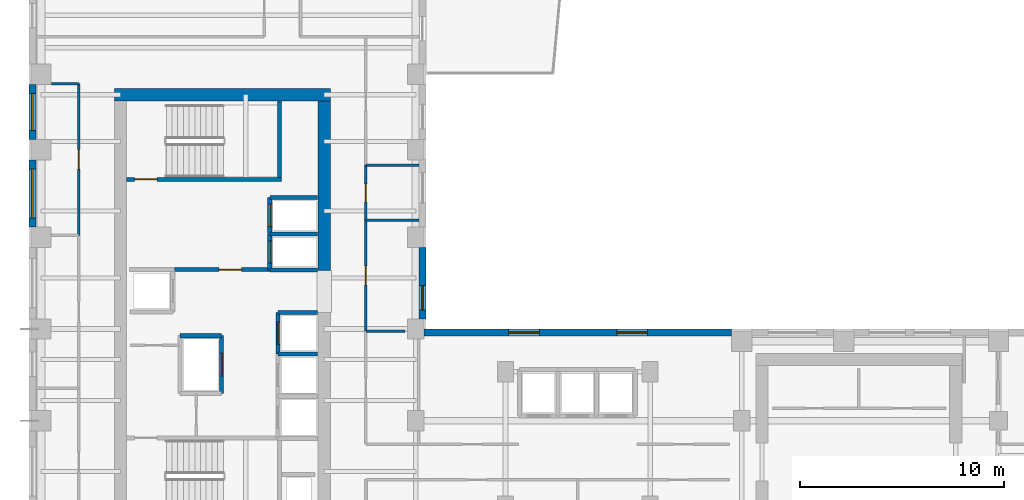
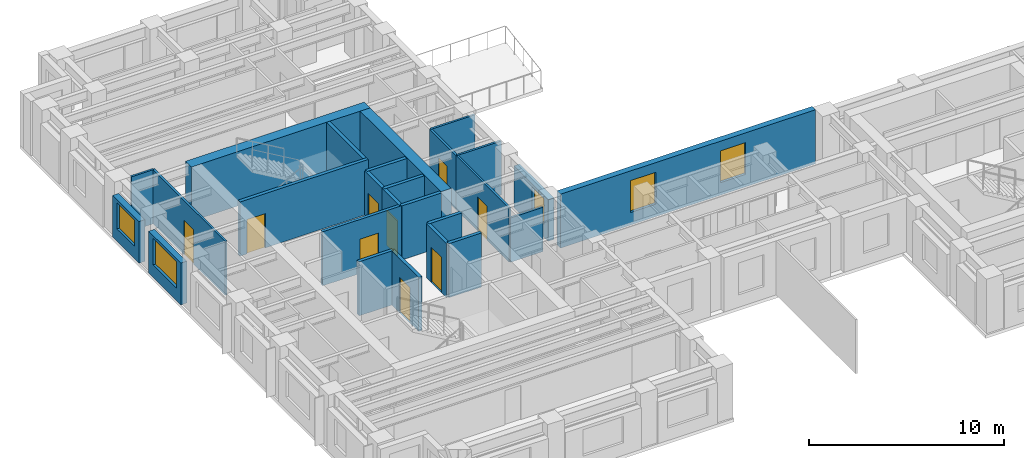
# One storey, part 5 of 11: 26 walls, 9 doors, 5 windows, 14 openings.
"""IFC4 building model written with IfcOpenShell, lengths in metres."""

from ifc_helpers import new_model, si_unit, direction, frame, frame_2d, origin, place, context, subcontext, project, spatial, rectangle, extrude, source, transform, mapped, material, layer, layer_set, type_object, element, fill, save


model = new_model("IFC4")

# Units and contexts
model_context = context("Model", 3, precision=1e-05, world=origin(), true_north=direction((0.0, 1.0)))
body_context = subcontext(model_context, "Body", "Model", "MODEL_VIEW")
ifc_project = project(units=[si_unit("LENGTHUNIT", "METRE"), si_unit("AREAUNIT", "SQUARE_METRE"), si_unit("VOLUMEUNIT", "CUBIC_METRE"), si_unit("PLANEANGLEUNIT", "RADIAN"), si_unit("MASSUNIT", "GRAM", prefix="KILO")], contexts=[model_context])

# Site, building, storey
site_placement = place(None, origin())
site = spatial("IfcSite", under=ifc_project, at=site_placement, CompositionType="ELEMENT")
building_placement = place(site_placement, origin())
building = spatial("IfcBuilding", under=site, at=building_placement, Name="Kharzan Plaza Tower", CompositionType="ELEMENT")
storey_placement = place(building_placement, frame((0.0, 0.0, 171.89990234375)))
storey = spatial("IfcBuildingStorey", under=building, at=storey_placement, Name="L46", CompositionType="ELEMENT", Elevation=171.89990234375)

# Wall, opening, window
ifc_material_1 = material(Name="Concrete C40/50", Category="concrete")
ifc_layer_1 = layer(ifc_material_1, 0.35009765625)
ifc_layer_set_1 = layer_set([ifc_layer_1], Name="Concrete C40/50")
wall_type_1 = type_object("IfcWallType", Name="WL-EXT-MAS-Z3", PredefinedType="SOLIDWALL", material=ifc_layer_set_1)
wall_1_placement = place(storey_placement, frame((0.175048828125, 30.001953125, 0.0), z_axis=(0.0, 0.0, 1.0), x_axis=(0.0, -1.0, 0.0)))
wall_1 = element("IfcWall", 1, at=wall_1_placement, inside=storey, type_object=wall_type_1, Name="L46 Masonry-Frame Exterior Wall 12", PredefinedType="SOLIDWALL", context=body_context, shape_type="SweptSolid", body=[
    extrude(rectangle(XDim=2.703857421875, YDim=0.35009765625, at=frame_2d((1.35205078125, 0.0))), origin(), (0.0, 0.0, 1.0), 2.612060546875),
])
opening_1_placement = place(wall_1_placement, frame((0.451904296875, 0.0, 0.780029296875)))
opening_1 = element("IfcOpeningElement", 2, at=opening_1_placement, cuts=wall_1, Name="Opening W1", PredefinedType="OPENING", context=body_context, shape_type="SweptSolid", body=[
    extrude(rectangle(XDim=1.800048828125, YDim=1.652099609375, at=frame_2d((0.89990234375, 0.826171875))), frame((0.0, 0.18505859375, 0.0), z_axis=(0.0, -1.0, 0.0), x_axis=(1.0, 0.0, 0.0)), (0.0, 0.0, 1.0), 0.3701171875),
])
ifc_material_2 = material(Name="Low-E Double Glazing", Category="glass")
window_type_1 = type_object("IfcWindowType", Name="WN-REC-1800x2100", PartitioningType="SINGLE_PANEL", PredefinedType="WINDOW", material=ifc_material_2)
shared_shape_1 = source(origin(), body_context, "Body", "SweptSolid", [
    extrude(rectangle(XDim=1.800048828125, YDim=1.652099609375, at=frame_2d((0.89990234375, 0.826171875))), frame((0.0, 0.030029296875, 0.0), z_axis=(0.0, -1.0, 0.0), x_axis=(1.0, 0.0, 0.0)), (0.0, 0.0, 1.0), 0.06005859375),
])
window_1_placement = place(opening_1_placement, origin())
window_1 = element("IfcWindow", 3, at=window_1_placement, inside=storey, type_object=window_type_1, Name="L46 Recessed Solar-Control Window 12-1", OverallHeight=1.652099609375, OverallWidth=1.800048828125, PartitioningType="SINGLE_PANEL", PredefinedType="WINDOW", context=body_context, shape_type="MappedRepresentation", body=[
    mapped(shared_shape_1, transform((0.0, 0.0, 0.0), x_axis=(1.0, 0.0, 0.0), y_axis=(0.0, 1.0, 0.0), z_axis=(0.0, 0.0, 1.0))),
])
fill(opening_1, window_1)

wall_2_placement = place(storey_placement, frame((0.175048828125, 26.302001953125, 0.0), z_axis=(0.0, 0.0, 1.0), x_axis=(0.0, -1.0, 0.0)))
wall_2 = element("IfcWall", 4, at=wall_2_placement, inside=storey, type_object=wall_type_1, Name="L46 Masonry-Frame Exterior Wall 13", PredefinedType="SOLIDWALL", context=body_context, shape_type="SweptSolid", body=[
    extrude(rectangle(XDim=3.303955078125, YDim=0.35009765625, at=frame_2d((1.65185546875, 0.0))), origin(), (0.0, 0.0, 1.0), 2.612060546875),
])
opening_2_placement = place(wall_2_placement, frame((0.451904296875, 0.0, 0.780029296875)))
opening_2 = element("IfcOpeningElement", 5, at=opening_2_placement, cuts=wall_2, Name="Opening W2", PredefinedType="OPENING", context=body_context, shape_type="SweptSolid", body=[
    extrude(rectangle(XDim=2.39990234375, YDim=1.652099609375, at=frame_2d((1.199951171875, 0.826171875))), frame((0.0, 0.18505859375, 0.0), z_axis=(0.0, -1.0, 0.0), x_axis=(1.0, 0.0, 0.0)), (0.0, 0.0, 1.0), 0.3701171875),
])
window_type_2 = type_object("IfcWindowType", Name="WN-REC-2400x2100", PartitioningType="SINGLE_PANEL", PredefinedType="WINDOW", material=ifc_material_2)
shared_shape_2 = source(origin(), body_context, "Body", "SweptSolid", [
    extrude(rectangle(XDim=2.39990234375, YDim=1.652099609375, at=frame_2d((1.199951171875, 0.826171875))), frame((0.0, 0.030029296875, 0.0), z_axis=(0.0, -1.0, 0.0), x_axis=(1.0, 0.0, 0.0)), (0.0, 0.0, 1.0), 0.06005859375),
])
window_2_placement = place(opening_2_placement, origin())
window_2 = element("IfcWindow", 6, at=window_2_placement, inside=storey, type_object=window_type_2, Name="L46 Wide Recessed Solar-Control Window 13-1", OverallHeight=1.652099609375, OverallWidth=2.39990234375, PartitioningType="SINGLE_PANEL", PredefinedType="WINDOW", context=body_context, shape_type="MappedRepresentation", body=[
    mapped(shared_shape_2, transform((0.0, 0.0, 0.0), x_axis=(1.0, 0.0, 0.0), y_axis=(0.0, 1.0, 0.0), z_axis=(0.0, 0.0, 1.0))),
])
fill(opening_2, window_2)

# Wall, openings, windows
wall_3_placement = place(storey_placement, frame((34.501953125, 17.824951171875, 0.0), z_axis=(0.0, 0.0, 1.0), x_axis=(-1.0, 0.0, 0.0)))
wall_3 = element("IfcWall", 7, at=wall_3_placement, inside=storey, type_object=wall_type_1, Name="L46 Masonry-Frame Exterior Wall 46", PredefinedType="SOLIDWALL", context=body_context, shape_type="SweptSolid", body=[
    extrude(rectangle(XDim=15.10400390625, YDim=0.35009765625, at=frame_2d((7.552001953125, 0.0))), origin(), (0.0, 0.0, 1.0), 3.385009765625),
])
opening_3_placement = place(wall_3_placement, frame((4.131103515625, 0.0, 0.780029296875)))
opening_3 = element("IfcOpeningElement", 8, at=opening_3_placement, cuts=wall_3, Name="Opening W5", PredefinedType="OPENING", context=body_context, shape_type="SweptSolid", body=[
    extrude(rectangle(XDim=1.5, YDim=2.0, at=frame_2d((0.75, 1.0))), frame((0.0, 0.18505859375, 0.0), z_axis=(0.0, -1.0, 0.0), x_axis=(1.0, 0.0, 0.0)), (0.0, 0.0, 1.0), 0.3701171875),
])
opening_4_placement = place(wall_3_placement, frame((9.4423828125, 0.0, 0.780029296875)))
opening_4 = element("IfcOpeningElement", 9, at=opening_4_placement, cuts=wall_3, Name="Opening W5", PredefinedType="OPENING", context=body_context, shape_type="SweptSolid", body=[
    extrude(rectangle(XDim=1.5, YDim=2.0, at=frame_2d((0.75, 1.0))), frame((0.0, 0.18505859375, 0.0), z_axis=(0.0, -1.0, 0.0), x_axis=(1.0, 0.0, 0.0)), (0.0, 0.0, 1.0), 0.3701171875),
])
window_type_3 = type_object("IfcWindowType", Name="WN-SLT-1500x2000", PartitioningType="SINGLE_PANEL", PredefinedType="WINDOW", material=ifc_material_2)
shared_shape_3 = source(origin(), body_context, "Body", "SweptSolid", [
    extrude(rectangle(XDim=1.5, YDim=2.0, at=frame_2d((0.75, 1.0))), frame((0.0, 0.030029296875, 0.0), z_axis=(0.0, -1.0, 0.0), x_axis=(1.0, 0.0, 0.0)), (0.0, 0.0, 1.0), 0.06005859375),
])
window_3_placement = place(opening_3_placement, origin())
window_3 = element("IfcWindow", 10, at=window_3_placement, inside=storey, type_object=window_type_3, Name="L46 Recessed Solar-Control Window 46-1", OverallHeight=2.0, OverallWidth=1.5, PartitioningType="SINGLE_PANEL", PredefinedType="WINDOW", context=body_context, shape_type="MappedRepresentation", body=[
    mapped(shared_shape_3, transform((0.0, 0.0, 0.0), x_axis=(1.0, 0.0, 0.0), y_axis=(0.0, 1.0, 0.0), z_axis=(0.0, 0.0, 1.0))),
])
fill(opening_3, window_3)
window_4_placement = place(opening_4_placement, origin())
window_4 = element("IfcWindow", 11, at=window_4_placement, inside=storey, type_object=window_type_3, Name="L46 Recessed Solar-Control Window 46-2", OverallHeight=2.0, OverallWidth=1.5, PartitioningType="SINGLE_PANEL", PredefinedType="WINDOW", context=body_context, shape_type="MappedRepresentation", body=[
    mapped(shared_shape_3, transform((0.0, 0.0, 0.0), x_axis=(1.0, 0.0, 0.0), y_axis=(0.0, 1.0, 0.0), z_axis=(0.0, 0.0, 1.0))),
])
fill(opening_4, window_4)

# Wall, opening, window
wall_4_placement = place(storey_placement, frame((19.324951171875, 18.498046875, 0.0), z_axis=(0.0, 0.0, 1.0), x_axis=(0.0, 1.0, 0.0)))
wall_4 = element("IfcWall", 12, at=wall_4_placement, inside=storey, type_object=wall_type_1, Name="L46 Masonry-Frame Exterior Wall 47", PredefinedType="SOLIDWALL", context=body_context, shape_type="SweptSolid", body=[
    extrude(rectangle(XDim=3.50390625, YDim=0.35009765625, at=frame_2d((1.751953125, 0.0))), origin(), (0.0, 0.0, 1.0), 2.612060546875),
])
opening_5_placement = place(wall_4_placement, frame((0.4326171875, 0.0, 0.780029296875)))
opening_5 = element("IfcOpeningElement", 13, at=opening_5_placement, cuts=wall_4, Name="Opening W3", PredefinedType="OPENING", context=body_context, shape_type="SweptSolid", body=[
    extrude(rectangle(XDim=1.199951171875, YDim=1.652099609375, at=frame_2d((0.60009765625, 0.826171875))), frame((0.0, 0.18505859375, 0.0), z_axis=(0.0, -1.0, 0.0), x_axis=(1.0, 0.0, 0.0)), (0.0, 0.0, 1.0), 0.3701171875),
])
window_type_4 = type_object("IfcWindowType", Name="WN-REC-1200x2100", PartitioningType="SINGLE_PANEL", PredefinedType="WINDOW", material=ifc_material_2)
shared_shape_4 = source(origin(), body_context, "Body", "SweptSolid", [
    extrude(rectangle(XDim=1.199951171875, YDim=1.652099609375, at=frame_2d((0.60009765625, 0.826171875))), frame((0.0, 0.030029296875, 0.0), z_axis=(0.0, -1.0, 0.0), x_axis=(1.0, 0.0, 0.0)), (0.0, 0.0, 1.0), 0.06005859375),
])
window_5_placement = place(opening_5_placement, origin())
window_5 = element("IfcWindow", 14, at=window_5_placement, inside=storey, type_object=window_type_4, Name="L46 Recessed Solar-Control Window 47-1", OverallHeight=1.652099609375, OverallWidth=1.199951171875, PartitioningType="SINGLE_PANEL", PredefinedType="WINDOW", context=body_context, shape_type="MappedRepresentation", body=[
    mapped(shared_shape_4, transform((0.0, 0.0, 0.0), x_axis=(1.0, 0.0, 0.0), y_axis=(0.0, 1.0, 0.0), z_axis=(0.0, 0.0, 1.0))),
])
fill(opening_5, window_5)

# Wall, opening, door
ifc_layer_2 = layer(ifc_material_1, 0.179931640625)
ifc_layer_set_2 = layer_set([ifc_layer_2], Name="Concrete C40/50")
wall_type_2 = type_object("IfcWallType", Name="WL-INT-FIRE-180", PredefinedType="PARTITIONING", material=ifc_layer_set_2)
wall_5_placement = place(storey_placement, frame((7.14990234375, 20.919921875, 0.0), z_axis=(0.0, 0.0, 1.0), x_axis=(1.0, 0.0, 0.0)))
wall_5 = element("IfcWall", 15, at=wall_5_placement, inside=storey, type_object=wall_type_2, Name="L46 Interior Partition CA-FF-S", PredefinedType="PARTITIONING", context=body_context, shape_type="SweptSolid", body=[
    extrude(rectangle(XDim=4.68017578125, YDim=0.179931640625, at=frame_2d((2.340087890625, 0.0))), origin(), (0.0, 0.0, 1.0), 3.385009765625),
])
opening_6_placement = place(wall_5_placement, frame((2.199951171875, 0.0, 0.0)))
opening_6 = element("IfcOpeningElement", 16, at=opening_6_placement, cuts=wall_5, Name="Opening FD1", PredefinedType="OPENING", context=body_context, shape_type="SweptSolid", body=[
    extrude(rectangle(XDim=1.10009765625, YDim=2.14990234375, at=frame_2d((0.550048828125, 1.074951171875))), frame((0.0, 0.099853515625, 0.0), z_axis=(0.0, -1.0, 0.0), x_axis=(1.0, 0.0, 0.0)), (0.0, 0.0, 1.0), 0.199951171875),
])
ifc_material_3 = material(Name="Fire-Rated Acoustic Vision-Panel Steel", Category="steel")
door_type_1 = type_object("IfcDoorType", Name="DR-FIRE-LOBBY", OperationType="NOTDEFINED", PredefinedType="DOOR", material=ifc_material_3)
shared_shape_5 = source(origin(), body_context, "Body", "SweptSolid", [
    extrude(rectangle(XDim=1.10009765625, YDim=2.14990234375, at=frame_2d((0.550048828125, 1.074951171875))), frame((0.0, 0.02490234375, 0.0), z_axis=(0.0, -1.0, 0.0), x_axis=(1.0, 0.0, 0.0)), (0.0, 0.0, 1.0), 0.050048828125),
])
door_1_placement = place(opening_6_placement, origin())
door_1 = element("IfcDoor", 17, at=door_1_placement, inside=storey, type_object=door_type_1, Name="L46 Firefighting Lobby Door", OperationType="SINGLE_SWING_LEFT", OverallHeight=2.14990234375, OverallWidth=1.10009765625, PredefinedType="DOOR", context=body_context, shape_type="MappedRepresentation", body=[
    mapped(shared_shape_5, transform((0.0, 0.0, 0.0), x_axis=(1.0, 0.0, 0.0), y_axis=(0.0, 1.0, 0.0), z_axis=(0.0, 0.0, 1.0))),
])
fill(opening_6, door_1)

ifc_material_4 = material(Name="Fire-Rated Gypsum Board Partition", Category="gypsum")
ifc_layer_3 = layer(ifc_material_4, 0.125)
ifc_layer_set_3 = layer_set([ifc_layer_3], Name="Fire-Rated Gypsum Board Partition")
wall_type_3 = type_object("IfcWallType", Name="WL-INT-PART-125", PredefinedType="PARTITIONING", material=ifc_layer_set_3)
wall_6_placement = place(storey_placement, frame((16.550048828125, 17.89990234375, 0.0), z_axis=(0.0, 0.0, 1.0), x_axis=(0.0, 1.0, 0.0)))
wall_6 = element("IfcWall", 18, at=wall_6_placement, inside=storey, type_object=wall_type_3, Name="L46 Interior Partition SH-AEWN2", PredefinedType="PARTITIONING", context=body_context, shape_type="SweptSolid", body=[
    extrude(rectangle(XDim=5.4501953125, YDim=0.125, at=frame_2d((2.72509765625, 0.0))), origin(), (0.0, 0.0, 1.0), 3.385009765625),
])
opening_7_placement = place(wall_6_placement, frame((2.25, 0.0, 0.0)))
opening_7 = element("IfcOpeningElement", 19, at=opening_7_placement, cuts=wall_6, Name="Opening OD1", PredefinedType="OPENING", context=body_context, shape_type="SweptSolid", body=[
    extrude(rectangle(XDim=0.949951171875, YDim=2.14990234375, at=frame_2d((0.47509765625, 1.074951171875))), frame((0.0, 0.072509765625, 0.0), z_axis=(0.0, -1.0, 0.0), x_axis=(1.0, 0.0, 0.0)), (0.0, 0.0, 1.0), 0.14501953125),
])
ifc_material_5 = material(Name="Acoustic Solid-Core Stained Oak", Category="timber")
door_type_2 = type_object("IfcDoorType", Name="DR-OFF-SINGLE", OperationType="NOTDEFINED", PredefinedType="DOOR", material=ifc_material_5)
shared_shape_6 = source(origin(), body_context, "Body", "SweptSolid", [
    extrude(rectangle(XDim=0.949951171875, YDim=2.14990234375, at=frame_2d((0.47509765625, 1.074951171875))), frame((0.0, 0.02490234375, 0.0), z_axis=(0.0, -1.0, 0.0), x_axis=(1.0, 0.0, 0.0)), (0.0, 0.0, 1.0), 0.050048828125),
])
door_2_placement = place(opening_7_placement, origin())
door_2 = element("IfcDoor", 20, at=door_2_placement, inside=storey, type_object=door_type_2, Name="L46 Slot Studio Door", OperationType="SINGLE_SWING_LEFT", OverallHeight=2.14990234375, OverallWidth=0.949951171875, PredefinedType="DOOR", context=body_context, shape_type="MappedRepresentation", body=[
    mapped(shared_shape_6, transform((0.0, 0.0, 0.0), x_axis=(1.0, 0.0, 0.0), y_axis=(0.0, 1.0, 0.0), z_axis=(0.0, 0.0, 1.0))),
])
fill(opening_7, door_2)

wall_7_placement = place(storey_placement, frame((16.550048828125, 23.35009765625, 0.0), z_axis=(0.0, 0.0, 1.0), x_axis=(0.0, 1.0, 0.0)))
wall_7 = element("IfcWall", 21, at=wall_7_placement, inside=storey, type_object=wall_type_3, Name="L46 Interior Partition SH-AEWW", PredefinedType="PARTITIONING", context=body_context, shape_type="SweptSolid", body=[
    extrude(rectangle(XDim=2.699951171875, YDim=0.125, at=frame_2d((1.35009765625, 0.0))), origin(), (0.0, 0.0, 1.0), 3.385009765625),
])
opening_8_placement = place(wall_7_placement, frame((0.875, 0.0, 0.0)))
opening_8 = element("IfcOpeningElement", 22, at=opening_8_placement, cuts=wall_7, Name="Opening WD1", PredefinedType="OPENING", context=body_context, shape_type="SweptSolid", body=[
    extrude(rectangle(XDim=0.89990234375, YDim=2.14990234375, at=frame_2d((0.449951171875, 1.074951171875))), frame((0.0, 0.072509765625, 0.0), z_axis=(0.0, -1.0, 0.0), x_axis=(1.0, 0.0, 0.0)), (0.0, 0.0, 1.0), 0.14501953125),
])
ifc_material_6 = material(Name="Moisture-Resistant Fire-Rated Laminate", Category="timber")
door_type_3 = type_object("IfcDoorType", Name="DR-WC-900", OperationType="NOTDEFINED", PredefinedType="DOOR", material=ifc_material_6)
shared_shape_7 = source(origin(), body_context, "Body", "SweptSolid", [
    extrude(rectangle(XDim=0.89990234375, YDim=2.14990234375, at=frame_2d((0.449951171875, 1.074951171875))), frame((0.0, 0.02490234375, 0.0), z_axis=(0.0, -1.0, 0.0), x_axis=(1.0, 0.0, 0.0)), (0.0, 0.0, 1.0), 0.050048828125),
])
door_3_placement = place(opening_8_placement, origin())
door_3 = element("IfcDoor", 23, at=door_3_placement, inside=storey, type_object=door_type_3, Name="L46 Wing A Washroom Door", OperationType="SINGLE_SWING_RIGHT", OverallHeight=2.14990234375, OverallWidth=0.89990234375, PredefinedType="DOOR", context=body_context, shape_type="MappedRepresentation", body=[
    mapped(shared_shape_7, transform((0.0, 0.0, 0.0), x_axis=(1.0, 0.0, 0.0), y_axis=(0.0, 1.0, 0.0), z_axis=(0.0, 0.0, 1.0))),
])
fill(opening_8, door_3)

wall_8_placement = place(storey_placement, frame((2.449951171875, 22.60009765625, 0.0), z_axis=(0.0, 0.0, 1.0), x_axis=(0.0, 1.0, 0.0)))
wall_8 = element("IfcWall", 24, at=wall_8_placement, inside=storey, type_object=wall_type_3, Name="L46 Interior Partition SH-WW-3", PredefinedType="PARTITIONING", context=body_context, shape_type="SweptSolid", body=[
    extrude(rectangle(XDim=7.449951171875, YDim=0.125, at=frame_2d((3.72509765625, 0.0))), origin(), (0.0, 0.0, 1.0), 3.385009765625),
])
opening_9_placement = place(wall_8_placement, frame((3.25, 0.0, 0.0)))
opening_9 = element("IfcOpeningElement", 25, at=opening_9_placement, cuts=wall_8, Name="Opening OD1", PredefinedType="OPENING", context=body_context, shape_type="SweptSolid", body=[
    extrude(rectangle(XDim=0.949951171875, YDim=2.14990234375, at=frame_2d((0.47509765625, 1.074951171875))), frame((0.0, 0.072509765625, 0.0), z_axis=(0.0, -1.0, 0.0), x_axis=(1.0, 0.0, 0.0)), (0.0, 0.0, 1.0), 0.14501953125),
])
door_4_placement = place(opening_9_placement, origin())
door_4 = element("IfcDoor", 26, at=door_4_placement, inside=storey, type_object=door_type_2, Name="L46 Staff Tea Pantry Door", OperationType="SINGLE_SWING_LEFT", OverallHeight=2.14990234375, OverallWidth=0.949951171875, PredefinedType="DOOR", context=body_context, shape_type="MappedRepresentation", body=[
    mapped(shared_shape_6, transform((0.0, 0.0, 0.0), x_axis=(1.0, 0.0, 0.0), y_axis=(0.0, 1.0, 0.0), z_axis=(0.0, 0.0, 1.0))),
])
fill(opening_9, door_4)

ifc_layer_4 = layer(ifc_material_1, 0.199951171875)
ifc_layer_set_4 = layer_set([ifc_layer_4], Name="Concrete C40/50")
wall_type_4 = type_object("IfcWallType", Name="WL-INT-SHAFT-200", PredefinedType="PARTITIONING", material=ifc_layer_set_4)
wall_9_placement = place(storey_placement, frame((11.830078125, 20.89990234375, 0.0), z_axis=(0.0, 0.0, 1.0), x_axis=(0.0, 1.0, 0.0)))
wall_9 = element("IfcWall", 27, at=wall_9_placement, inside=storey, type_object=wall_type_4, Name="L46 Interior Partition SHF-FFL-1-W", PredefinedType="PARTITIONING", context=body_context, shape_type="SweptSolid", body=[
    extrude(rectangle(XDim=1.760009765625, YDim=0.199951171875, at=frame_2d((0.8798828125, 0.0))), origin(), (0.0, 0.0, 1.0), 3.385009765625),
])
opening_10_placement = place(wall_9_placement, frame((0.330078125, 0.0, 0.0)))
opening_10 = element("IfcOpeningElement", 28, at=opening_10_placement, cuts=wall_9, Name="Opening LD", PredefinedType="OPENING", context=body_context, shape_type="SweptSolid", body=[
    extrude(rectangle(XDim=1.10009765625, YDim=2.199951171875, at=frame_2d((0.550048828125, 1.10009765625))), frame((0.0, 0.10986328125, 0.0), z_axis=(0.0, -1.0, 0.0), x_axis=(1.0, 0.0, 0.0)), (0.0, 0.0, 1.0), 0.219970703125),
])
ifc_material_7 = material(Name="Brushed Stainless Steel", Category="steel")
door_type_4 = type_object("IfcDoorType", Name="DR-LIFT-SLIDE", OperationType="SLIDING_TO_LEFT", PredefinedType="DOOR", material=ifc_material_7)
shared_shape_8 = source(origin(), body_context, "Body", "SweptSolid", [
    extrude(rectangle(XDim=1.10009765625, YDim=2.199951171875, at=frame_2d((0.550048828125, 1.10009765625))), frame((0.0, 0.02490234375, 0.0), z_axis=(0.0, -1.0, 0.0), x_axis=(1.0, 0.0, 0.0)), (0.0, 0.0, 1.0), 0.050048828125),
])
door_5_placement = place(opening_10_placement, origin())
door_5 = element("IfcDoor", 29, at=door_5_placement, inside=storey, type_object=door_type_4, Name="L46 Firefighting Lift FFL-1 Sliding Landing Door", OperationType="SLIDING_TO_LEFT", OverallHeight=2.199951171875, OverallWidth=1.10009765625, PredefinedType="DOOR", context=body_context, shape_type="MappedRepresentation", body=[
    mapped(shared_shape_8, transform((0.0, 0.0, 0.0), x_axis=(1.0, 0.0, 0.0), y_axis=(0.0, 1.0, 0.0), z_axis=(0.0, 0.0, 1.0))),
])
fill(opening_10, door_5)

wall_10_placement = place(storey_placement, frame((11.830078125, 22.699951171875, 0.0), z_axis=(0.0, 0.0, 1.0), x_axis=(0.0, 1.0, 0.0)))
wall_10 = element("IfcWall", 30, at=wall_10_placement, inside=storey, type_object=wall_type_4, Name="L46 Interior Partition SHF-FFL-2-W", PredefinedType="PARTITIONING", context=body_context, shape_type="SweptSolid", body=[
    extrude(rectangle(XDim=1.760009765625, YDim=0.199951171875, at=frame_2d((0.8798828125, 0.0))), origin(), (0.0, 0.0, 1.0), 3.385009765625),
])
opening_11_placement = place(wall_10_placement, frame((0.330078125, 0.0, 0.0)))
opening_11 = element("IfcOpeningElement", 31, at=opening_11_placement, cuts=wall_10, Name="Opening LD", PredefinedType="OPENING", context=body_context, shape_type="SweptSolid", body=[
    extrude(rectangle(XDim=1.10009765625, YDim=2.199951171875, at=frame_2d((0.550048828125, 1.10009765625))), frame((0.0, 0.10986328125, 0.0), z_axis=(0.0, -1.0, 0.0), x_axis=(1.0, 0.0, 0.0)), (0.0, 0.0, 1.0), 0.219970703125),
])
door_6_placement = place(opening_11_placement, origin())
door_6 = element("IfcDoor", 32, at=door_6_placement, inside=storey, type_object=door_type_4, Name="L46 Firefighting Lift FFL-2 Sliding Landing Door", OperationType="SLIDING_TO_LEFT", OverallHeight=2.199951171875, OverallWidth=1.10009765625, PredefinedType="DOOR", context=body_context, shape_type="MappedRepresentation", body=[
    mapped(shared_shape_8, transform((0.0, 0.0, 0.0), x_axis=(1.0, 0.0, 0.0), y_axis=(0.0, 1.0, 0.0), z_axis=(0.0, 0.0, 1.0))),
])
fill(opening_11, door_6)

wall_11_placement = place(storey_placement, frame((12.22998046875, 16.77001953125, 0.0), z_axis=(0.0, 0.0, 1.0), x_axis=(0.0, 1.0, 0.0)))
wall_11 = element("IfcWall", 33, at=wall_11_placement, inside=storey, type_object=wall_type_4, Name="L46 Interior Partition SHF-PL-H3-W", PredefinedType="PARTITIONING", context=body_context, shape_type="SweptSolid", body=[
    extrude(rectangle(XDim=2.050048828125, YDim=0.199951171875, at=frame_2d((1.02490234375, 0.0))), origin(), (0.0, 0.0, 1.0), 3.385009765625),
])
opening_12_placement = place(wall_11_placement, frame((0.47509765625, 0.0, 0.0)))
opening_12 = element("IfcOpeningElement", 34, at=opening_12_placement, cuts=wall_11, Name="Opening LD", PredefinedType="OPENING", context=body_context, shape_type="SweptSolid", body=[
    extrude(rectangle(XDim=1.10009765625, YDim=2.199951171875, at=frame_2d((0.550048828125, 1.10009765625))), frame((0.0, 0.10986328125, 0.0), z_axis=(0.0, -1.0, 0.0), x_axis=(1.0, 0.0, 0.0)), (0.0, 0.0, 1.0), 0.219970703125),
])
door_7_placement = place(opening_12_placement, origin())
door_7 = element("IfcDoor", 35, at=door_7_placement, inside=storey, type_object=door_type_4, Name="L46 High-Rise Passenger Lift PL-H3 Sliding Landing Door", OperationType="SLIDING_TO_LEFT", OverallHeight=2.199951171875, OverallWidth=1.10009765625, PredefinedType="DOOR", context=body_context, shape_type="MappedRepresentation", body=[
    mapped(shared_shape_8, transform((0.0, 0.0, 0.0), x_axis=(1.0, 0.0, 0.0), y_axis=(0.0, 1.0, 0.0), z_axis=(0.0, 0.0, 1.0))),
])
fill(opening_12, door_7)

wall_12_placement = place(storey_placement, frame((9.469970703125, 14.830078125, 0.0), z_axis=(0.0, 0.0, 1.0), x_axis=(0.0, 1.0, 0.0)))
wall_12 = element("IfcWall", 36, at=wall_12_placement, inside=storey, type_object=wall_type_4, Name="L46 Interior Partition SHF-SVL-1-E", PredefinedType="PARTITIONING", context=body_context, shape_type="SweptSolid", body=[
    extrude(rectangle(XDim=2.83984375, YDim=0.199951171875, at=frame_2d((1.419921875, 0.0))), origin(), (0.0, 0.0, 1.0), 3.385009765625),
])
opening_13_placement = place(wall_12_placement, frame((0.8701171875, 0.0, 0.0)))
opening_13 = element("IfcOpeningElement", 37, at=opening_13_placement, cuts=wall_12, Name="Opening LD", PredefinedType="OPENING", context=body_context, shape_type="SweptSolid", body=[
    extrude(rectangle(XDim=1.10009765625, YDim=2.199951171875, at=frame_2d((0.550048828125, 1.10009765625))), frame((0.0, 0.10986328125, 0.0), z_axis=(0.0, -1.0, 0.0), x_axis=(1.0, 0.0, 0.0)), (0.0, 0.0, 1.0), 0.219970703125),
])
door_8_placement = place(opening_13_placement, origin())
door_8 = element("IfcDoor", 38, at=door_8_placement, inside=storey, type_object=door_type_4, Name="L46 Service Lift SVL-1 Sliding Landing Door", OperationType="SLIDING_TO_LEFT", OverallHeight=2.199951171875, OverallWidth=1.10009765625, PredefinedType="DOOR", context=body_context, shape_type="MappedRepresentation", body=[
    mapped(shared_shape_8, transform((0.0, 0.0, 0.0), x_axis=(1.0, 0.0, 0.0), y_axis=(0.0, 1.0, 0.0), z_axis=(0.0, 0.0, 1.0))),
])
fill(opening_13, door_8)

ifc_material_8 = material(Name="Concrete C50/60", Category="concrete")
ifc_layer_5 = layer(ifc_material_8, 0.199951171875)
ifc_layer_set_5 = layer_set([ifc_layer_5], Name="Concrete C50/60")
wall_type_5 = type_object("IfcWallType", Name="WL-SHAFT-RC200", PredefinedType="SHEAR", material=ifc_layer_set_5)
wall_13_placement = place(storey_placement, frame((4.802001953125, 25.344970703125, 0.0), z_axis=(0.0, 0.0, 1.0), x_axis=(1.0, 0.0, 0.0)))
wall_13 = element("IfcWall", 39, at=wall_13_placement, inside=storey, type_object=wall_type_5, Name="L46 Stair ST-2 South RC Shaft Wall", PredefinedType="SHEAR", context=body_context, shape_type="SweptSolid", body=[
    extrude(rectangle(XDim=7.60302734375, YDim=0.199951171875, at=frame_2d((3.801513671875, 0.0))), origin(), (0.0, 0.0, 1.0), 3.400146484375),
])
opening_14_placement = place(wall_13_placement, frame((0.39990234375, 0.0, 0.0)))
opening_14 = element("IfcOpeningElement", 40, at=opening_14_placement, cuts=wall_13, Name="Opening SD1", PredefinedType="OPENING", context=body_context, shape_type="SweptSolid", body=[
    extrude(rectangle(XDim=1.10009765625, YDim=2.14990234375, at=frame_2d((0.550048828125, 1.074951171875))), frame((0.0, 0.10986328125, 0.0), z_axis=(0.0, -1.0, 0.0), x_axis=(1.0, 0.0, 0.0)), (0.0, 0.0, 1.0), 0.219970703125),
])
ifc_material_9 = material(Name="Fire-Rated Hollow Galvanized Steel", Category="steel")
door_type_5 = type_object("IfcDoorType", Name="DR-STAIR-FD120", OperationType="NOTDEFINED", PredefinedType="DOOR", material=ifc_material_9)
shared_shape_9 = source(origin(), body_context, "Body", "SweptSolid", [
    extrude(rectangle(XDim=1.10009765625, YDim=2.14990234375, at=frame_2d((0.550048828125, 1.074951171875))), frame((0.0, 0.02490234375, 0.0), z_axis=(0.0, -1.0, 0.0), x_axis=(1.0, 0.0, 0.0)), (0.0, 0.0, 1.0), 0.050048828125),
])
door_9_placement = place(opening_14_placement, origin())
door_9 = element("IfcDoor", 41, at=door_9_placement, inside=storey, type_object=door_type_5, Name="L46 Stair ST-2 Fire Exit Door", OperationType="SINGLE_SWING_RIGHT", OverallHeight=2.14990234375, OverallWidth=1.10009765625, PredefinedType="DOOR", context=body_context, shape_type="MappedRepresentation", body=[
    mapped(shared_shape_9, transform((0.0, 0.0, 0.0), x_axis=(1.0, 0.0, 0.0), y_axis=(0.0, 1.0, 0.0), z_axis=(0.0, 0.0, 1.0))),
])
fill(opening_14, door_9)

# Walls
shared_shape_10 = source(origin(), body_context, "Body", "SweptSolid", [
    extrude(rectangle(XDim=2.33984375, YDim=0.199951171875, at=frame_2d((1.169921875, 0.0))), origin(), (0.0, 0.0, 1.0), 3.385009765625),
])
for number, where, z_axis, x_axis, name in (
    (42, (11.830078125, 22.659912109375, 0.0), (0.0, 0.0, 1.0), (1.0, 0.0, 0.0), "L46 Interior Partition SHF-FFL-1-N"),
    (43, (11.830078125, 20.89990234375, 0.0), (0.0, 0.0, 1.0), (1.0, 0.0, 0.0), "L46 Interior Partition SHF-FFL-1-S"),
    (44, (11.830078125, 24.4599609375, 0.0), (0.0, 0.0, 1.0), (1.0, 0.0, 0.0), "L46 Interior Partition SHF-FFL-2-N"),
):
    element("IfcWall", number, at=place(storey_placement, frame(where, z_axis=z_axis, x_axis=x_axis)), inside=storey, type_object=wall_type_4, Name=name, PredefinedType="PARTITIONING", context=body_context, shape_type="MappedRepresentation", body=[
        mapped(shared_shape_10, transform((0.0, 0.0, 0.0), x_axis=(1.0, 0.0, 0.0), y_axis=(0.0, 1.0, 0.0), z_axis=(0.0, 0.0, 1.0))),
    ])
shared_shape_11 = source(origin(), body_context, "Body", "SweptSolid", [
    extrude(rectangle(XDim=1.93994140625, YDim=0.199951171875, at=frame_2d((0.969970703125, 0.0))), origin(), (0.0, 0.0, 1.0), 3.385009765625),
])
for number, where, z_axis, x_axis, name in (
    (45, (12.22998046875, 16.77001953125, 0.0), (0.0, 0.0, 1.0), (1.0, 0.0, 0.0), "L46 Interior Partition SHF-PL-H2-N"),
    (46, (12.22998046875, 18.820068359375, 0.0), (0.0, 0.0, 1.0), (1.0, 0.0, 0.0), "L46 Interior Partition SHF-PL-H3-N"),
):
    element("IfcWall", number, at=place(storey_placement, frame(where, z_axis=z_axis, x_axis=x_axis)), inside=storey, type_object=wall_type_4, Name=name, PredefinedType="PARTITIONING", context=body_context, shape_type="MappedRepresentation", body=[
        mapped(shared_shape_11, transform((0.0, 0.0, 0.0), x_axis=(1.0, 0.0, 0.0), y_axis=(0.0, 1.0, 0.0), z_axis=(0.0, 0.0, 1.0))),
    ])
shared_shape_12 = source(origin(), body_context, "Body", "SweptSolid", [
    extrude(rectangle(XDim=2.0400390625, YDim=0.199951171875, at=frame_2d((1.02001953125, 0.0))), origin(), (0.0, 0.0, 1.0), 3.385009765625),
])
wall_14_placement = place(storey_placement, frame((7.429931640625, 17.669921875, 0.0), z_axis=(0.0, 0.0, 1.0), x_axis=(1.0, 0.0, 0.0)))
element("IfcWall", 47, at=wall_14_placement, inside=storey, type_object=wall_type_4, Name="L46 Interior Partition SHF-SVL-1-N", PredefinedType="PARTITIONING", context=body_context, shape_type="MappedRepresentation", body=[
    mapped(shared_shape_12, transform((0.0, 0.0, 0.0), x_axis=(1.0, 0.0, 0.0), y_axis=(0.0, 1.0, 0.0), z_axis=(0.0, 0.0, 1.0))),
])
ifc_layer_6 = layer(ifc_material_8, 0.60009765625)
ifc_layer_set_6 = layer_set([ifc_layer_6], Name="Concrete C50/60")
wall_type_6 = type_object("IfcWallType", Name="WL-CORE-600", PredefinedType="SHEAR", material=ifc_layer_set_6)
shared_shape_13 = source(origin(), body_context, "Body", "SweptSolid", [
    extrude(rectangle(XDim=8.320068359375, YDim=0.60009765625, at=frame_2d((4.16015625, 0.0))), origin(), (0.0, 0.0, 1.0), 3.400146484375),
])
wall_15_placement = place(storey_placement, frame((14.5, 20.8798828125, 0.0), z_axis=(0.0, 0.0, 1.0), x_axis=(0.0, 1.0, 0.0)))
element("IfcWall", 48, at=wall_15_placement, inside=storey, type_object=wall_type_6, Name="L46 CORE-A east shear pier 2", PredefinedType="SHEAR", context=body_context, shape_type="MappedRepresentation", body=[
    mapped(shared_shape_13, transform((0.0, 0.0, 0.0), x_axis=(1.0, 0.0, 0.0), y_axis=(0.0, 1.0, 0.0), z_axis=(0.0, 0.0, 1.0))),
])
shared_shape_14 = source(origin(), body_context, "Body", "SweptSolid", [
    extrude(rectangle(XDim=10.60009765625, YDim=0.60009765625, at=frame_2d((5.300048828125, 0.0))), origin(), (0.0, 0.0, 1.0), 3.400146484375),
])
wall_16_placement = place(storey_placement, frame((4.199951171875, 29.5, 0.0), z_axis=(0.0, 0.0, 1.0), x_axis=(1.0, 0.0, 0.0)))
element("IfcWall", 49, at=wall_16_placement, inside=storey, type_object=wall_type_6, Name="L46 CORE-A north RC shear wall", PredefinedType="SHEAR", context=body_context, shape_type="MappedRepresentation", body=[
    mapped(shared_shape_14, transform((0.0, 0.0, 0.0), x_axis=(1.0, 0.0, 0.0), y_axis=(0.0, 1.0, 0.0), z_axis=(0.0, 0.0, 1.0))),
])
shared_shape_15 = source(origin(), body_context, "Body", "SweptSolid", [
    extrude(rectangle(XDim=2.597900390625, YDim=0.125, at=frame_2d((1.298828125, 0.0))), origin(), (0.0, 0.0, 1.0), 3.385009765625),
])
for number, where, z_axis, x_axis, name in (
    (50, (16.550048828125, 23.35009765625, 0.0), (0.0, 0.0, 1.0), (1.0, 0.0, 0.0), "L46 Interior Partition SH-AEH-233"),
    (51, (16.550048828125, 26.050048828125, 0.0), (0.0, 0.0, 1.0), (1.0, 0.0, 0.0), "L46 Interior Partition SH-AEH-260"),
):
    element("IfcWall", number, at=place(storey_placement, frame(where, z_axis=z_axis, x_axis=x_axis)), inside=storey, type_object=wall_type_3, Name=name, PredefinedType="PARTITIONING", context=body_context, shape_type="MappedRepresentation", body=[
        mapped(shared_shape_15, transform((0.0, 0.0, 0.0), x_axis=(1.0, 0.0, 0.0), y_axis=(0.0, 1.0, 0.0), z_axis=(0.0, 0.0, 1.0))),
    ])
shared_shape_16 = source(origin(), body_context, "Body", "SweptSolid", [
    extrude(rectangle(XDim=1.329833984375, YDim=0.125, at=frame_2d((0.6650390625, 0.0))), origin(), (0.0, 0.0, 1.0), 3.385009765625),
])
wall_17_placement = place(storey_placement, frame((1.1201171875, 30.050048828125, 0.0), z_axis=(0.0, 0.0, 1.0), x_axis=(1.0, 0.0, 0.0)))
element("IfcWall", 52, at=wall_17_placement, inside=storey, type_object=wall_type_3, Name="L46 Interior Partition SH-RWN0", PredefinedType="PARTITIONING", context=body_context, shape_type="MappedRepresentation", body=[
    mapped(shared_shape_16, transform((0.0, 0.0, 0.0), x_axis=(1.0, 0.0, 0.0), y_axis=(0.0, 1.0, 0.0), z_axis=(0.0, 0.0, 1.0))),
])
shared_shape_17 = source(origin(), body_context, "Body", "SweptSolid", [
    extrude(rectangle(XDim=3.7529296875, YDim=0.199951171875, at=frame_2d((1.87646484375, 0.0))), origin(), (0.0, 0.0, 1.0), 3.400146484375),
])
wall_18_placement = place(storey_placement, frame((12.304931640625, 25.445068359375, 0.0), z_axis=(0.0, 0.0, 1.0), x_axis=(0.0, 1.0, 0.0)))
element("IfcWall", 53, at=wall_18_placement, inside=storey, type_object=wall_type_5, Name="L46 Stair ST-2 East RC Shaft Wall", PredefinedType="SHEAR", context=body_context, shape_type="MappedRepresentation", body=[
    mapped(shared_shape_17, transform((0.0, 0.0, 0.0), x_axis=(1.0, 0.0, 0.0), y_axis=(0.0, 1.0, 0.0), z_axis=(0.0, 0.0, 1.0))),
])
shared_shape_18 = source(origin(), body_context, "Body", "SweptSolid", [
    extrude(rectangle(XDim=1.929931640625, YDim=0.125, at=frame_2d((0.96484375, 0.0))), origin(), (0.0, 0.0, 1.0), 2.773193359375),
])
wall_19_placement = place(storey_placement, frame((16.550048828125, 17.89990234375, 0.0), z_axis=(0.0, 0.0, 1.0), x_axis=(1.0, 0.0, 0.0)))
element("IfcWall", 54, at=wall_19_placement, inside=storey, type_object=wall_type_3, Name="L46 Interior Partition SH-AEH-179", PredefinedType="PARTITIONING", context=body_context, shape_type="MappedRepresentation", body=[
    mapped(shared_shape_18, transform((0.0, 0.0, 0.0), x_axis=(1.0, 0.0, 0.0), y_axis=(0.0, 1.0, 0.0), z_axis=(0.0, 0.0, 1.0))),
])

save(model, "model.ifc")
